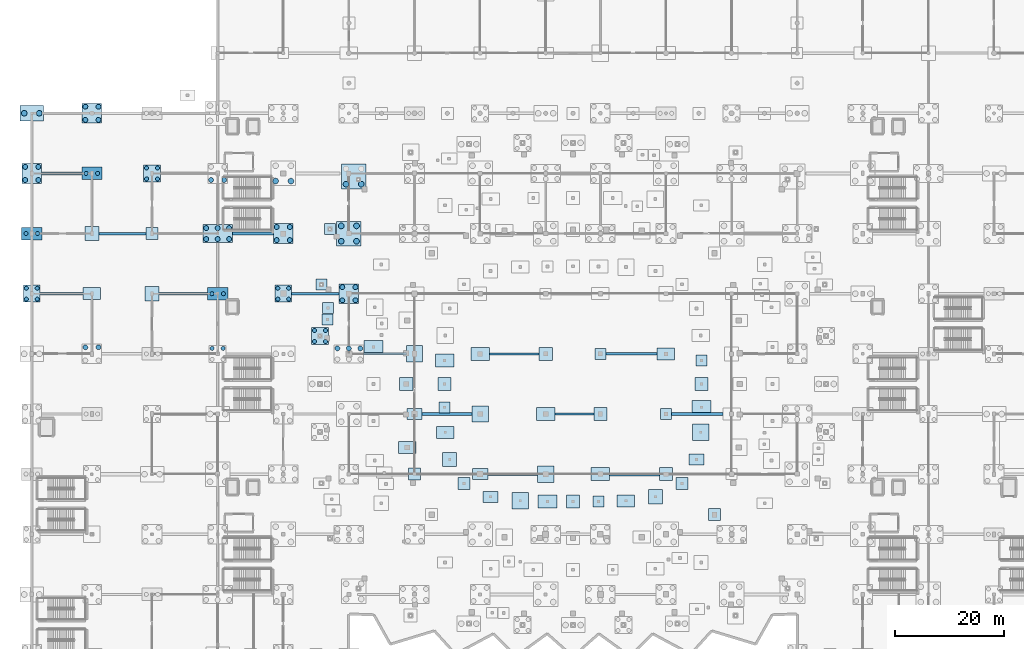
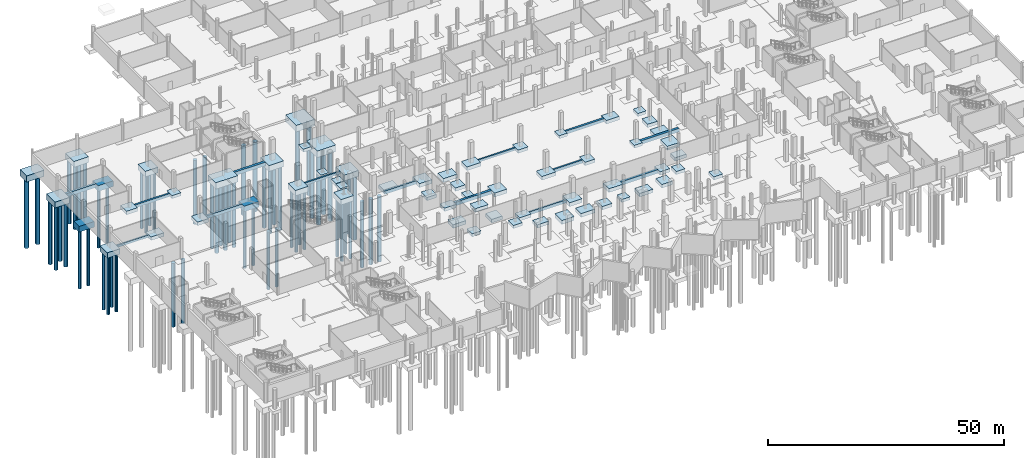
# One storey, part 3 of 60: 75 footings, 63 piles.
"""IFC4 building model written with IfcOpenShell, lengths in metres."""

from ifc_helpers import new_model, si_unit, direction, frame, origin, origin_2d, place, context, subcontext, project, spatial, rectangle, circle, extrude, material, material_profile, profile_set, type_object, element, save


model = new_model("IFC4")

# Units and contexts
model_context = context("Model", 3, precision=1e-05, world=origin(), true_north=direction((0.0, 1.0)))
body_context = subcontext(model_context, "Body", "Model", "MODEL_VIEW")
ifc_project = project(units=[si_unit("LENGTHUNIT", "METRE"), si_unit("AREAUNIT", "SQUARE_METRE"), si_unit("VOLUMEUNIT", "CUBIC_METRE"), si_unit("PLANEANGLEUNIT", "RADIAN"), si_unit("MASSUNIT", "GRAM", prefix="KILO")], contexts=[model_context])

# Site, building, storey
site_placement = place(None, origin())
site = spatial("IfcSite", under=ifc_project, at=site_placement, CompositionType="ELEMENT")
building_placement = place(site_placement, origin())
building = spatial("IfcBuilding", under=site, at=building_placement, Name="Luwafu Chhajja Arena", CompositionType="ELEMENT")
storey_placement = place(building_placement, frame((0.0, 0.0, -5.39990234375)))
storey = spatial("IfcBuildingStorey", under=building, at=storey_placement, Name="B1", CompositionType="ELEMENT", Elevation=-5.39990234375)

# Footings
ifc_material = material(Name="Concrete C35/45", Category="concrete")
footing_type_1 = type_object("IfcFootingType", Name="Arcade Corner Pad Footing PF-7", PredefinedType="PAD_FOOTING", material=ifc_material)
for number, where, z_axis, x_axis, name in (
    (1, (104.0, 55.0, -0.75), (0.0, 0.0, 1.0), (1.0, 0.0, 0.0), "Pad footing PAD-039"),
    (2, (116.0, 44.0, -0.75), (0.0, 0.0, 1.0), (1.0, 0.0, 0.0), "Pad footing PAD-045"),
    (3, (54.52392578125, 77.805908203125, -0.75), (0.0, 0.0, 1.0), (1.0, 0.0, 0.0), "Pad footing PAD-091"),
    (4, (52.968017578125, 67.6611328125, -0.75), (0.0, 0.0, 1.0), (1.0, 0.0, 0.0), "Pad footing PAD-092"),
    (5, (122.49365234375, 53.775390625, -0.75), (0.0, 0.0, 1.0), (1.0, 0.0, 0.0), "Pad footing PAD-140"),
    (6, (75.50634765625, 45.224609375, -0.75), (0.0, 0.0, 1.0), (1.0, 0.0, 0.0), "Pad footing PAD-178"),
    (7, (103.673095703125, 28.005859375, -0.75), (0.0, 0.0, 1.0), (1.0, 0.0, 0.0), "Pad footing PAD-197"),
    (8, (54.165283203125, 63.373779296875, -0.75), (0.0, 0.0, 1.0), (1.0, 0.0, 0.0), "Pad footing PAD-228"),
    (9, (54.107177734375, 61.274658203125, -0.75), (0.0, 0.0, 1.0), (1.0, 0.0, 0.0), "Pad footing PAD-229"),
):
    element("IfcFooting", number, at=place(storey_placement, frame(where, z_axis=z_axis, x_axis=x_axis)), inside=storey, type_object=footing_type_1, Name=name, PredefinedType="PAD_FOOTING", context=body_context, shape_type="SweptSolid", body=[
        extrude(rectangle(XDim=2.0, YDim=2.0, at=origin_2d()), origin(), (0.0, 0.0, 1.0), 0.75),
    ])
ifc_material_profile_1 = material_profile(ifc_material, rectangle(XDim=0.39990234375, YDim=0.60009765625, at=origin_2d()), Name="RC 400x600")
ifc_profile_set_1 = profile_set([ifc_material_profile_1], Name="Concrete C35/45")
footing_type_2 = type_object("IfcFootingType", Name="Arcade Plinth Tie Beam GB-4", PredefinedType="FOOTING_BEAM", material=ifc_profile_set_1)
footing_1_placement = place(storey_placement, frame((83.699951171875, 55.0, -0.300048828125), z_axis=(1.0, 0.0, 0.0), x_axis=(0.0, 1.0, 0.0)))
element("IfcFooting", 10, at=footing_1_placement, inside=storey, type_object=footing_type_2, Name="Ground tie beam GB-X-044", PredefinedType="FOOTING_BEAM", context=body_context, shape_type="SweptSolid", body=[
    extrude(rectangle(XDim=0.39990234375, YDim=0.60009765625, at=origin_2d()), origin(), (0.0, 0.0, 1.0), 9.10009765625),
])
footing_2_placement = place(storey_placement, frame((1.550048828125, 66.0, -0.300048828125), z_axis=(1.0, 0.0, 0.0), x_axis=(0.0, 1.0, 0.0)))
element("IfcFooting", 11, at=footing_2_placement, inside=storey, type_object=footing_type_2, Name="Ground tie beam GB-X-049", PredefinedType="FOOTING_BEAM", context=body_context, shape_type="SweptSolid", body=[
    extrude(rectangle(XDim=0.39990234375, YDim=0.60009765625, at=origin_2d()), origin(), (0.0, 0.0, 1.0), 7.849853515625),
])
footing_3_placement = place(storey_placement, frame((47.550048828125, 66.0, -0.300048828125), z_axis=(1.0, 0.0, 0.0), x_axis=(0.0, 1.0, 0.0)))
element("IfcFooting", 12, at=footing_3_placement, inside=storey, type_object=footing_type_2, Name="Ground tie beam GB-X-051", PredefinedType="FOOTING_BEAM", context=body_context, shape_type="SweptSolid", body=[
    extrude(rectangle(XDim=0.39990234375, YDim=0.60009765625, at=origin_2d()), origin(), (0.0, 0.0, 1.0), 8.64990234375),
])

# Piles
ifc_material_profile_2 = material_profile(ifc_material, circle(Radius=0.52490234375, at=origin_2d()), Name="PILE D1050")
ifc_profile_set_2 = profile_set([ifc_material_profile_2], Name="Concrete C35/45")
pile_type_1 = type_object("IfcPileType", Name="Bored Socketed Pile D1050", PredefinedType="BORED", material=ifc_profile_set_2)
for number, where, z_axis, x_axis, name in (
    (13, (57.471923828125, 86.04541015625, -1.60009765625), (0.0, 0.0, -1.0), (1.0, 0.0, 0.0), "Bored pile PIL-PC-3-002-1"),
    (14, (60.27197265625, 86.04541015625, -1.60009765625), (0.0, 0.0, -1.0), (1.0, 0.0, 0.0), "Bored pile PIL-PC-3-002-2"),
    (15, (-1.375, 99.0, -1.5), (0.0, 0.0, -1.0), (1.0, 0.0, 0.0), "Bored pile PIL-PC-2-014-1"),
    (16, (1.375, 99.0, -1.5), (0.0, 0.0, -1.0), (1.0, 0.0, 0.0), "Bored pile PIL-PC-2-014-2"),
    (17, (44.60009765625, 86.60009765625, -1.60009765625), (0.0, 0.0, -1.0), (1.0, 0.0, 0.0), "Bored pile PIL-PC-3-047-1"),
    (18, (47.39990234375, 86.60009765625, -1.60009765625), (0.0, 0.0, -1.0), (1.0, 0.0, 0.0), "Bored pile PIL-PC-3-047-2"),
    (19, (56.60009765625, 75.60009765625, -1.60009765625), (0.0, 0.0, -1.0), (1.0, 0.0, 0.0), "Bored pile PIL-PC-3-055-1"),
    (20, (59.39990234375, 75.60009765625, -1.60009765625), (0.0, 0.0, -1.0), (1.0, 0.0, 0.0), "Bored pile PIL-PC-3-055-2"),
    (21, (56.60009765625, 78.39990234375, -1.60009765625), (0.0, 0.0, -1.0), (1.0, 0.0, 0.0), "Bored pile PIL-PC-3-055-3"),
    (22, (59.39990234375, 78.39990234375, -1.60009765625), (0.0, 0.0, -1.0), (1.0, 0.0, 0.0), "Bored pile PIL-PC-3-055-4"),
):
    element("IfcPile", number, at=place(storey_placement, frame(where, z_axis=z_axis, x_axis=x_axis)), inside=storey, type_object=pile_type_1, Name=name, PredefinedType="BORED", context=body_context, shape_type="SweptSolid", body=[
        extrude(circle(Radius=0.52490234375, at=origin_2d()), origin(), (0.0, 0.0, 1.0), 18.0),
    ])
ifc_material_profile_3 = material_profile(ifc_material, circle(Radius=0.375, at=origin_2d()), Name="PILE D750")
ifc_profile_set_3 = profile_set([ifc_material_profile_3], Name="Concrete C35/45")
pile_type_2 = type_object("IfcPileType", Name="Bored Socketed Pile D750", PredefinedType="BORED", material=ifc_profile_set_3)
for number, where, z_axis, x_axis, name in (
    (23, (-1.0, 65.0, -1.300048828125), (0.0, 0.0, -1.0), (1.0, 0.0, 0.0), "Bored pile PIL-PC-4-011-1"),
    (24, (1.0, 65.0, -1.300048828125), (0.0, 0.0, -1.0), (1.0, 0.0, 0.0), "Bored pile PIL-PC-4-011-2"),
    (25, (-1.0, 67.0, -1.300048828125), (0.0, 0.0, -1.0), (1.0, 0.0, 0.0), "Bored pile PIL-PC-4-011-3"),
    (26, (1.0, 67.0, -1.300048828125), (0.0, 0.0, -1.0), (1.0, 0.0, 0.0), "Bored pile PIL-PC-4-011-4"),
):
    element("IfcPile", number, at=place(storey_placement, frame(where, z_axis=z_axis, x_axis=x_axis)), inside=storey, type_object=pile_type_2, Name=name, PredefinedType="BORED", context=body_context, shape_type="SweptSolid", body=[
        extrude(circle(Radius=0.375, at=origin_2d()), origin(), (0.0, 0.0, 1.0), 15.0),
    ])
for number, where, z_axis, x_axis, name in (
    (27, (-1.050048828125, 77.0, -1.35009765625), (0.0, 0.0, -1.0), (1.0, 0.0, 0.0), "Bored pile PIL-PC-6-012-1"),
    (28, (1.050048828125, 77.0, -1.35009765625), (0.0, 0.0, -1.0), (1.0, 0.0, 0.0), "Bored pile PIL-PC-6-012-2"),
    (29, (9.949951171875, 88.0, -1.35009765625), (0.0, 0.0, -1.0), (1.0, 0.0, 0.0), "Bored pile PIL-PC-6-020-1"),
    (30, (12.050048828125, 88.0, -1.35009765625), (0.0, 0.0, -1.0), (1.0, 0.0, 0.0), "Bored pile PIL-PC-6-020-2"),
):
    element("IfcPile", number, at=place(storey_placement, frame(where, z_axis=z_axis, x_axis=x_axis)), inside=storey, type_object=pile_type_2, Name=name, PredefinedType="BORED", context=body_context, shape_type="SweptSolid", body=[
        extrude(circle(Radius=0.375, at=origin_2d()), origin(), (0.0, 0.0, 1.0), 15.5),
    ])
for number, where, z_axis, x_axis, name in (
    (31, (21.0, 87.0, -1.300048828125), (0.0, 0.0, -1.0), (1.0, 0.0, 0.0), "Bored pile PIL-PC-4-027-1"),
    (32, (23.0, 87.0, -1.300048828125), (0.0, 0.0, -1.0), (1.0, 0.0, 0.0), "Bored pile PIL-PC-4-027-2"),
    (33, (21.0, 89.0, -1.300048828125), (0.0, 0.0, -1.0), (1.0, 0.0, 0.0), "Bored pile PIL-PC-4-027-3"),
    (34, (23.0, 89.0, -1.300048828125), (0.0, 0.0, -1.0), (1.0, 0.0, 0.0), "Bored pile PIL-PC-4-027-4"),
    (35, (33.0, 56.0, -1.300048828125), (0.0, 0.0, -1.0), (1.0, 0.0, 0.0), "Bored pile PIL-PC-4-034-3"),
    (36, (35.0, 56.0, -1.300048828125), (0.0, 0.0, -1.0), (1.0, 0.0, 0.0), "Bored pile PIL-PC-4-034-4"),
):
    element("IfcPile", number, at=place(storey_placement, frame(where, z_axis=z_axis, x_axis=x_axis)), inside=storey, type_object=pile_type_2, Name=name, PredefinedType="BORED", context=body_context, shape_type="SweptSolid", body=[
        extrude(circle(Radius=0.375, at=origin_2d()), origin(), (0.0, 0.0, 1.0), 15.0),
    ])
for number, where, z_axis, x_axis, name in (
    (37, (32.949951171875, 66.0, -1.35009765625), (0.0, 0.0, -1.0), (1.0, 0.0, 0.0), "Bored pile PIL-PC-6-035-1"),
    (38, (35.050048828125, 66.0, -1.35009765625), (0.0, 0.0, -1.0), (1.0, 0.0, 0.0), "Bored pile PIL-PC-6-035-2"),
):
    element("IfcPile", number, at=place(storey_placement, frame(where, z_axis=z_axis, x_axis=x_axis)), inside=storey, type_object=pile_type_2, Name=name, PredefinedType="BORED", context=body_context, shape_type="SweptSolid", body=[
        extrude(circle(Radius=0.375, at=origin_2d()), origin(), (0.0, 0.0, 1.0), 15.5),
    ])
for number, where, z_axis, x_axis, name in (
    (39, (45.0, 65.0, -1.300048828125), (0.0, 0.0, -1.0), (1.0, 0.0, 0.0), "Bored pile PIL-PC-4-045-1"),
    (40, (47.0, 65.0, -1.300048828125), (0.0, 0.0, -1.0), (1.0, 0.0, 0.0), "Bored pile PIL-PC-4-045-2"),
    (41, (45.0, 67.0, -1.300048828125), (0.0, 0.0, -1.0), (1.0, 0.0, 0.0), "Bored pile PIL-PC-4-045-3"),
    (42, (47.0, 67.0, -1.300048828125), (0.0, 0.0, -1.0), (1.0, 0.0, 0.0), "Bored pile PIL-PC-4-045-4"),
    (43, (51.71240234375, 57.269775390625, -1.300048828125), (0.0, 0.0, -1.0), (1.0, 0.0, 0.0), "Bored pile PIL-PC-4-140-1"),
    (44, (53.71240234375, 57.269775390625, -1.300048828125), (0.0, 0.0, -1.0), (1.0, 0.0, 0.0), "Bored pile PIL-PC-4-140-2"),
    (45, (51.71240234375, 59.269775390625, -1.300048828125), (0.0, 0.0, -1.0), (1.0, 0.0, 0.0), "Bored pile PIL-PC-4-140-3"),
    (46, (53.71240234375, 59.269775390625, -1.300048828125), (0.0, 0.0, -1.0), (1.0, 0.0, 0.0), "Bored pile PIL-PC-4-140-4"),
):
    element("IfcPile", number, at=place(storey_placement, frame(where, z_axis=z_axis, x_axis=x_axis)), inside=storey, type_object=pile_type_2, Name=name, PredefinedType="BORED", context=body_context, shape_type="SweptSolid", body=[
        extrude(circle(Radius=0.375, at=origin_2d()), origin(), (0.0, 0.0, 1.0), 15.0),
    ])
ifc_material_profile_4 = material_profile(ifc_material, circle(Radius=0.449951171875, at=origin_2d()), Name="PILE D900")
ifc_profile_set_4 = profile_set([ifc_material_profile_4], Name="Concrete C35/45")
pile_type_3 = type_object("IfcPileType", Name="Bored Socketed Pile D900", PredefinedType="BORED", material=ifc_profile_set_4)
for number, where, z_axis, x_axis, name in (
    (47, (-1.199951171875, 86.800048828125, -1.400146484375), (0.0, 0.0, -1.0), (1.0, 0.0, 0.0), "Bored pile PIL-PC-1-013-1"),
    (48, (1.199951171875, 86.800048828125, -1.400146484375), (0.0, 0.0, -1.0), (1.0, 0.0, 0.0), "Bored pile PIL-PC-1-013-2"),
    (49, (-1.199951171875, 89.199951171875, -1.400146484375), (0.0, 0.0, -1.0), (1.0, 0.0, 0.0), "Bored pile PIL-PC-1-013-3"),
    (50, (1.199951171875, 89.199951171875, -1.400146484375), (0.0, 0.0, -1.0), (1.0, 0.0, 0.0), "Bored pile PIL-PC-1-013-4"),
    (51, (9.800048828125, 56.199951171875, -1.400146484375), (0.0, 0.0, -1.0), (1.0, 0.0, 0.0), "Bored pile PIL-PC-1-019-3"),
    (52, (12.199951171875, 56.199951171875, -1.400146484375), (0.0, 0.0, -1.0), (1.0, 0.0, 0.0), "Bored pile PIL-PC-1-019-4"),
    (53, (9.800048828125, 97.800048828125, -1.400146484375), (0.0, 0.0, -1.0), (1.0, 0.0, 0.0), "Bored pile PIL-PC-1-021-1"),
    (54, (12.199951171875, 97.800048828125, -1.400146484375), (0.0, 0.0, -1.0), (1.0, 0.0, 0.0), "Bored pile PIL-PC-1-021-2"),
    (55, (9.800048828125, 100.199951171875, -1.400146484375), (0.0, 0.0, -1.0), (1.0, 0.0, 0.0), "Bored pile PIL-PC-1-021-3"),
    (56, (12.199951171875, 100.199951171875, -1.400146484375), (0.0, 0.0, -1.0), (1.0, 0.0, 0.0), "Bored pile PIL-PC-1-021-4"),
):
    element("IfcPile", number, at=place(storey_placement, frame(where, z_axis=z_axis, x_axis=x_axis)), inside=storey, type_object=pile_type_3, Name=name, PredefinedType="BORED", context=body_context, shape_type="SweptSolid", body=[
        extrude(circle(Radius=0.449951171875, at=origin_2d()), origin(), (0.0, 0.0, 1.0), 16.5),
    ])
for number, where, z_axis, x_axis, name in (
    (57, (31.89990234375, 76.0, -1.550048828125), (0.0, 0.0, -1.0), (1.0, 0.0, 0.0), "Bored pile PIL-PC-5-036-1"),
    (58, (34.0, 76.0, -1.550048828125), (0.0, 0.0, -1.0), (1.0, 0.0, 0.0), "Bored pile PIL-PC-5-036-2"),
    (59, (36.10009765625, 76.0, -1.550048828125), (0.0, 0.0, -1.0), (1.0, 0.0, 0.0), "Bored pile PIL-PC-5-036-3"),
    (60, (31.89990234375, 78.0, -1.550048828125), (0.0, 0.0, -1.0), (1.0, 0.0, 0.0), "Bored pile PIL-PC-5-036-4"),
    (61, (34.0, 78.0, -1.550048828125), (0.0, 0.0, -1.0), (1.0, 0.0, 0.0), "Bored pile PIL-PC-5-036-5"),
    (62, (36.10009765625, 78.0, -1.550048828125), (0.0, 0.0, -1.0), (1.0, 0.0, 0.0), "Bored pile PIL-PC-5-036-6"),
):
    element("IfcPile", number, at=place(storey_placement, frame(where, z_axis=z_axis, x_axis=x_axis)), inside=storey, type_object=pile_type_3, Name=name, PredefinedType="BORED", context=body_context, shape_type="SweptSolid", body=[
        extrude(circle(Radius=0.449951171875, at=origin_2d()), origin(), (0.0, 0.0, 1.0), 17.0),
    ])
for number, where, z_axis, x_axis, name in (
    (63, (32.800048828125, 86.800048828125, -1.400146484375), (0.0, 0.0, -1.0), (1.0, 0.0, 0.0), "Bored pile PIL-PC-1-037-1"),
    (64, (35.199951171875, 86.800048828125, -1.400146484375), (0.0, 0.0, -1.0), (1.0, 0.0, 0.0), "Bored pile PIL-PC-1-037-2"),
    (65, (44.800048828125, 75.800048828125, -1.400146484375), (0.0, 0.0, -1.0), (1.0, 0.0, 0.0), "Bored pile PIL-PC-1-046-1"),
    (66, (47.199951171875, 75.800048828125, -1.400146484375), (0.0, 0.0, -1.0), (1.0, 0.0, 0.0), "Bored pile PIL-PC-1-046-2"),
    (67, (44.800048828125, 78.199951171875, -1.400146484375), (0.0, 0.0, -1.0), (1.0, 0.0, 0.0), "Bored pile PIL-PC-1-046-3"),
    (68, (47.199951171875, 78.199951171875, -1.400146484375), (0.0, 0.0, -1.0), (1.0, 0.0, 0.0), "Bored pile PIL-PC-1-046-4"),
):
    element("IfcPile", number, at=place(storey_placement, frame(where, z_axis=z_axis, x_axis=x_axis)), inside=storey, type_object=pile_type_3, Name=name, PredefinedType="BORED", context=body_context, shape_type="SweptSolid", body=[
        extrude(circle(Radius=0.449951171875, at=origin_2d()), origin(), (0.0, 0.0, 1.0), 16.5),
    ])
for number, where, z_axis, x_axis, name in (
    (69, (55.89990234375, 56.0, -1.550048828125), (0.0, 0.0, -1.0), (1.0, 0.0, 0.0), "Bored pile PIL-PC-5-053-4"),
    (70, (58.0, 56.0, -1.550048828125), (0.0, 0.0, -1.0), (1.0, 0.0, 0.0), "Bored pile PIL-PC-5-053-5"),
    (71, (60.10009765625, 56.0, -1.550048828125), (0.0, 0.0, -1.0), (1.0, 0.0, 0.0), "Bored pile PIL-PC-5-053-6"),
):
    element("IfcPile", number, at=place(storey_placement, frame(where, z_axis=z_axis, x_axis=x_axis)), inside=storey, type_object=pile_type_3, Name=name, PredefinedType="BORED", context=body_context, shape_type="SweptSolid", body=[
        extrude(circle(Radius=0.449951171875, at=origin_2d()), origin(), (0.0, 0.0, 1.0), 17.0),
    ])
for number, where, z_axis, x_axis, name in (
    (72, (56.800048828125, 64.800048828125, -1.400146484375), (0.0, 0.0, -1.0), (1.0, 0.0, 0.0), "Bored pile PIL-PC-1-054-1"),
    (73, (59.199951171875, 64.800048828125, -1.400146484375), (0.0, 0.0, -1.0), (1.0, 0.0, 0.0), "Bored pile PIL-PC-1-054-2"),
    (74, (56.800048828125, 67.199951171875, -1.400146484375), (0.0, 0.0, -1.0), (1.0, 0.0, 0.0), "Bored pile PIL-PC-1-054-3"),
    (75, (59.199951171875, 67.199951171875, -1.400146484375), (0.0, 0.0, -1.0), (1.0, 0.0, 0.0), "Bored pile PIL-PC-1-054-4"),
):
    element("IfcPile", number, at=place(storey_placement, frame(where, z_axis=z_axis, x_axis=x_axis)), inside=storey, type_object=pile_type_3, Name=name, PredefinedType="BORED", context=body_context, shape_type="SweptSolid", body=[
        extrude(circle(Radius=0.449951171875, at=origin_2d()), origin(), (0.0, 0.0, 1.0), 16.5),
    ])

# Footings
footing_type_3 = type_object("IfcFootingType", Name="Charbagh Arcade Pad Footing PF-2", PredefinedType="PAD_FOOTING", material=ifc_material)
for number, where, z_axis, x_axis, name in (
    (76, (22.0, 77.0, -0.80029296875), (0.0, 0.0, 1.0), (1.0, 0.0, 0.0), "Pad footing PAD-006"),
    (77, (70.0, 33.0, -0.80029296875), (0.0, 0.0, 1.0), (1.0, 0.0, 0.0), "Pad footing PAD-016"),
    (78, (79.0751953125, 31.27099609375, -0.80029296875), (0.0, 0.0, 1.0), (1.0, 0.0, 0.0), "Pad footing PAD-185"),
    (79, (118.9248046875, 31.27099609375, -0.80029296875), (0.0, 0.0, 1.0), (1.0, 0.0, 0.0), "Pad footing PAD-204"),
    (80, (124.85986328125, 25.590087890625, -0.80029296875), (0.0, 0.0, 1.0), (1.0, 0.0, 0.0), "Pad footing PAD-205"),
):
    element("IfcFooting", number, at=place(storey_placement, frame(where, z_axis=z_axis, x_axis=x_axis)), inside=storey, type_object=footing_type_3, Name=name, PredefinedType="PAD_FOOTING", context=body_context, shape_type="SweptSolid", body=[
        extrude(rectangle(XDim=2.199951171875, YDim=2.199951171875, at=origin_2d()), origin(), (0.0, 0.0, 1.0), 0.800048828125),
    ])
footing_type_4 = type_object("IfcFootingType", Name="Colonnade Pad Footing PF-1", PredefinedType="PAD_FOOTING", material=ifc_material)
for number, where, z_axis, x_axis, name in (
    (81, (11.0, 77.0, -0.900146484375), (0.0, 0.0, 1.0), (1.0, 0.0, 0.0), "Pad footing PAD-003"),
    (82, (22.0, 66.0, -0.900146484375), (0.0, 0.0, 1.0), (1.0, 0.0, 0.0), "Pad footing PAD-005"),
    (83, (76.42578125, 35.7001953125, -0.900146484375), (0.0, 0.0, 1.0), (1.0, 0.0, 0.0), "Pad footing PAD-183"),
    (84, (114.08349609375, 28.846923828125, -0.900146484375), (0.0, 0.0, 1.0), (1.0, 0.0, 0.0), "Pad footing PAD-202"),
):
    element("IfcFooting", number, at=place(storey_placement, frame(where, z_axis=z_axis, x_axis=x_axis)), inside=storey, type_object=footing_type_4, Name=name, PredefinedType="PAD_FOOTING", context=body_context, shape_type="SweptSolid", body=[
        extrude(rectangle(XDim=2.60009765625, YDim=2.60009765625, at=origin_2d()), origin(), (0.0, 0.0, 1.0), 0.89990234375),
    ])
footing_type_5 = type_object("IfcFootingType", Name="Forecourt Canopy Pad Footing PF-3", PredefinedType="PAD_FOOTING", material=ifc_material)
for number, where, z_axis, x_axis, name in (
    (85, (70.0, 44.0, -0.85009765625), (0.0, 0.0, 1.0), (1.0, 0.0, 0.0), "Pad footing PAD-017"),
    (86, (82.0, 33.0, -0.85009765625), (0.0, 0.0, 1.0), (1.0, 0.0, 0.0), "Pad footing PAD-023"),
    (87, (83.91650390625, 28.846923828125, -0.85009765625), (0.0, 0.0, 1.0), (1.0, 0.0, 0.0), "Pad footing PAD-187"),
    (88, (121.57421875, 35.7001953125, -0.85009765625), (0.0, 0.0, 1.0), (1.0, 0.0, 0.0), "Pad footing PAD-206"),
):
    element("IfcFooting", number, at=place(storey_placement, frame(where, z_axis=z_axis, x_axis=x_axis)), inside=storey, type_object=footing_type_5, Name=name, PredefinedType="PAD_FOOTING", context=body_context, shape_type="SweptSolid", body=[
        extrude(rectangle(XDim=2.800048828125, YDim=2.0, at=origin_2d()), origin(), (0.0, 0.0, 1.0), 0.85009765625),
    ])
footing_type_6 = type_object("IfcFootingType", Name="Light Court Pad Footing PF-8", PredefinedType="PAD_FOOTING", material=ifc_material)
for number, where, z_axis, x_axis, name in (
    (89, (11.0, 66.0, -0.900146484375), (0.0, 0.0, 1.0), (1.0, 0.0, 0.0), "Pad footing PAD-002"),
    (90, (116.0, 55.0, -0.900146484375), (0.0, 0.0, 1.0), (1.0, 0.0, 0.0), "Pad footing PAD-046"),
    (91, (75.635986328125, 40.64599609375, -0.900146484375), (0.0, 0.0, 1.0), (1.0, 0.0, 0.0), "Pad footing PAD-180"),
    (92, (68.676513671875, 37.88671875, -0.900146484375), (0.0, 0.0, 1.0), (1.0, 0.0, 0.0), "Pad footing PAD-182"),
    (93, (108.677734375, 28.12451171875, -0.900146484375), (0.0, 0.0, 1.0), (1.0, 0.0, 0.0), "Pad footing PAD-199"),
):
    element("IfcFooting", number, at=place(storey_placement, frame(where, z_axis=z_axis, x_axis=x_axis)), inside=storey, type_object=footing_type_6, Name=name, PredefinedType="PAD_FOOTING", context=body_context, shape_type="SweptSolid", body=[
        extrude(rectangle(XDim=3.199951171875, YDim=2.199951171875, at=origin_2d()), origin(), (0.0, 0.0, 1.0), 0.89990234375),
    ])
footing_type_7 = type_object("IfcFootingType", Name="Pavilion Corner Pad Footing PF-4", PredefinedType="PAD_FOOTING", material=ifc_material)
for number, where, z_axis, x_axis, name in (
    (94, (70.0, 55.0, -1.0), (0.0, 0.0, 1.0), (1.0, 0.0, 0.0), "Pad footing PAD-018"),
    (95, (82.0, 44.0, -1.0), (0.0, 0.0, 1.0), (1.0, 0.0, 0.0), "Pad footing PAD-024"),
    (96, (94.0, 33.0, -1.0), (0.0, 0.0, 1.0), (1.0, 0.0, 0.0), "Pad footing PAD-030"),
    (97, (89.322265625, 28.12451171875, -1.0), (0.0, 0.0, 1.0), (1.0, 0.0, 0.0), "Pad footing PAD-189"),
    (98, (122.364013671875, 40.64599609375, -1.0), (0.0, 0.0, 1.0), (1.0, 0.0, 0.0), "Pad footing PAD-208"),
):
    element("IfcFooting", number, at=place(storey_placement, frame(where, z_axis=z_axis, x_axis=x_axis)), inside=storey, type_object=footing_type_7, Name=name, PredefinedType="PAD_FOOTING", context=body_context, shape_type="SweptSolid", body=[
        extrude(rectangle(XDim=3.0, YDim=3.0, at=origin_2d()), origin(), (0.0, 0.0, 1.0), 1.0),
    ])
ifc_material_profile_5 = material_profile(ifc_material, rectangle(XDim=0.449951171875, YDim=0.75, at=origin_2d()), Name="RC 450x750")
ifc_profile_set_5 = profile_set([ifc_material_profile_5], Name="Concrete C35/45")
footing_type_8 = type_object("IfcFootingType", Name="Perimeter Plinth Ground Beam GB-3", PredefinedType="FOOTING_BEAM", material=ifc_profile_set_5)
footing_4_placement = place(storey_placement, frame((83.39990234375, 33.0, -0.375), z_axis=(1.0, 0.0, 0.0), x_axis=(0.0, 1.0, 0.0)))
element("IfcFooting", 99, at=footing_4_placement, inside=storey, type_object=footing_type_8, Name="Ground tie beam GB-X-027", PredefinedType="FOOTING_BEAM", context=body_context, shape_type="SweptSolid", body=[
    extrude(rectangle(XDim=0.449951171875, YDim=0.75, at=origin_2d()), origin(), (0.0, 0.0, 1.0), 9.10009765625),
])
footing_5_placement = place(storey_placement, frame((95.699951171875, 44.0, -0.375), z_axis=(1.0, 0.0, 0.0), x_axis=(0.0, 1.0, 0.0)))
element("IfcFooting", 100, at=footing_5_placement, inside=storey, type_object=footing_type_8, Name="Ground tie beam GB-X-036", PredefinedType="FOOTING_BEAM", context=body_context, shape_type="SweptSolid", body=[
    extrude(rectangle(XDim=0.449951171875, YDim=0.75, at=origin_2d()), origin(), (0.0, 0.0, 1.0), 7.10009765625),
])
footing_6_placement = place(storey_placement, frame((12.300048828125, 77.0, -0.375), z_axis=(1.0, 0.0, 0.0), x_axis=(0.0, 1.0, 0.0)))
element("IfcFooting", 101, at=footing_6_placement, inside=storey, type_object=footing_type_8, Name="Ground tie beam GB-X-058", PredefinedType="FOOTING_BEAM", context=body_context, shape_type="SweptSolid", body=[
    extrude(rectangle(XDim=0.449951171875, YDim=0.75, at=origin_2d()), origin(), (0.0, 0.0, 1.0), 8.599853515625),
])
ifc_material_profile_6 = material_profile(ifc_material, rectangle(XDim=0.60009765625, YDim=0.89990234375, at=origin_2d()), Name="RC 600x900")
ifc_profile_set_6 = profile_set([ifc_material_profile_6], Name="Concrete C35/45")
footing_type_9 = type_object("IfcFootingType", Name="Primary Ground Tie Beam GB-1", PredefinedType="FOOTING_BEAM", material=ifc_profile_set_6)
for number, where, z_axis, x_axis, name in (
    (102, (105.699951171875, 33.0, -0.4501953125), (1.0, 0.0, 0.0), (0.0, 1.0, 0.0), "Ground tie beam GB-X-028"),
    (103, (71.39990234375, 44.0, -0.4501953125), (1.0, 0.0, 0.0), (0.0, 1.0, 0.0), "Ground tie beam GB-X-035"),
):
    element("IfcFooting", number, at=place(storey_placement, frame(where, z_axis=z_axis, x_axis=x_axis)), inside=storey, type_object=footing_type_9, Name=name, PredefinedType="FOOTING_BEAM", context=body_context, shape_type="SweptSolid", body=[
        extrude(rectangle(XDim=0.60009765625, YDim=0.89990234375, at=origin_2d()), origin(), (0.0, 0.0, 1.0), 9.10009765625),
    ])
footing_7_placement = place(storey_placement, frame((117.0, 44.0, -0.4501953125), z_axis=(1.0, 0.0, 0.0), x_axis=(0.0, 1.0, 0.0)))
element("IfcFooting", 104, at=footing_7_placement, inside=storey, type_object=footing_type_9, Name="Ground tie beam GB-X-037", PredefinedType="FOOTING_BEAM", context=body_context, shape_type="SweptSolid", body=[
    extrude(rectangle(XDim=0.60009765625, YDim=0.89990234375, at=origin_2d()), origin(), (0.0, 0.0, 1.0), 9.39990234375),
])
footing_8_placement = place(storey_placement, frame((36.699951171875, 77.0, -0.4501953125), z_axis=(1.0, 0.0, 0.0), x_axis=(0.0, 1.0, 0.0)))
element("IfcFooting", 105, at=footing_8_placement, inside=storey, type_object=footing_type_9, Name="Ground tie beam GB-X-059", PredefinedType="FOOTING_BEAM", context=body_context, shape_type="SweptSolid", body=[
    extrude(rectangle(XDim=0.60009765625, YDim=0.89990234375, at=origin_2d()), origin(), (0.0, 0.0, 1.0), 7.5),
])
footing_9_placement = place(storey_placement, frame((1.800048828125, 88.0, -0.4501953125), z_axis=(1.0, 0.0, 0.0), x_axis=(0.0, 1.0, 0.0)))
element("IfcFooting", 106, at=footing_9_placement, inside=storey, type_object=footing_type_9, Name="Ground tie beam GB-X-066", PredefinedType="FOOTING_BEAM", context=body_context, shape_type="SweptSolid", body=[
    extrude(rectangle(XDim=0.60009765625, YDim=0.89990234375, at=origin_2d()), origin(), (0.0, 0.0, 1.0), 7.349853515625),
])
footing_type_10 = type_object("IfcFootingType", Name="Raker Plinth Pad Footing PF-6", PredefinedType="PAD_FOOTING", material=ifc_material)
for number, where, z_axis, x_axis, name in (
    (107, (94.0, 55.0, -0.85009765625), (0.0, 0.0, 1.0), (1.0, 0.0, 0.0), "Pad footing PAD-032"),
    (108, (104.0, 44.0, -0.85009765625), (0.0, 0.0, 1.0), (1.0, 0.0, 0.0), "Pad footing PAD-038"),
    (109, (116.0, 33.0, -0.85009765625), (0.0, 0.0, 1.0), (1.0, 0.0, 0.0), "Pad footing PAD-044"),
    (110, (122.5, 49.5, -0.85009765625), (0.0, 0.0, 1.0), (1.0, 0.0, 0.0), "Pad footing PAD-137"),
    (111, (75.5, 49.5, -0.85009765625), (0.0, 0.0, 1.0), (1.0, 0.0, 0.0), "Pad footing PAD-175"),
    (112, (68.5, 49.5, -0.85009765625), (0.0, 0.0, 1.0), (1.0, 0.0, 0.0), "Pad footing PAD-177"),
    (113, (99.0, 28.0, -0.85009765625), (0.0, 0.0, 1.0), (1.0, 0.0, 0.0), "Pad footing PAD-194"),
):
    element("IfcFooting", number, at=place(storey_placement, frame(where, z_axis=z_axis, x_axis=x_axis)), inside=storey, type_object=footing_type_10, Name=name, PredefinedType="PAD_FOOTING", context=body_context, shape_type="SweptSolid", body=[
        extrude(rectangle(XDim=2.39990234375, YDim=2.39990234375, at=origin_2d()), origin(), (0.0, 0.0, 1.0), 0.85009765625),
    ])
footing_type_11 = type_object("IfcFootingType", Name="Ramp Toe Pad Footing PF-5", PredefinedType="PAD_FOOTING", material=ifc_material)
for number, where, z_axis, x_axis, name in (
    (114, (82.0, 55.0, -0.9501953125), (0.0, 0.0, 1.0), (1.0, 0.0, 0.0), "Pad footing PAD-025"),
    (115, (94.0, 44.0, -0.9501953125), (0.0, 0.0, 1.0), (1.0, 0.0, 0.0), "Pad footing PAD-031"),
    (116, (104.0, 33.0, -0.9501953125), (0.0, 0.0, 1.0), (1.0, 0.0, 0.0), "Pad footing PAD-037"),
    (117, (75.50634765625, 53.775390625, -0.9501953125), (0.0, 0.0, 1.0), (1.0, 0.0, 0.0), "Pad footing PAD-173"),
    (118, (62.509765625, 56.26123046875, -0.9501953125), (0.0, 0.0, 1.0), (1.0, 0.0, 0.0), "Pad footing PAD-174"),
    (119, (94.326904296875, 28.005859375, -0.9501953125), (0.0, 0.0, 1.0), (1.0, 0.0, 0.0), "Pad footing PAD-192"),
    (120, (122.49365234375, 45.224609375, -0.9501953125), (0.0, 0.0, 1.0), (1.0, 0.0, 0.0), "Pad footing PAD-211"),
):
    element("IfcFooting", number, at=place(storey_placement, frame(where, z_axis=z_axis, x_axis=x_axis)), inside=storey, type_object=footing_type_11, Name=name, PredefinedType="PAD_FOOTING", context=body_context, shape_type="SweptSolid", body=[
        extrude(rectangle(XDim=3.39990234375, YDim=2.39990234375, at=origin_2d()), origin(), (0.0, 0.0, 1.0), 0.949951171875),
    ])
footing_type_12 = type_object("IfcFootingType", Name="Reinforced Concrete Pile Cap PC-1", PredefinedType="PILE_CAP", material=ifc_material)
for number, where, z_axis, x_axis, name in (
    (121, (0.0, 88.0, -1.5), (0.0, 0.0, 1.0), (1.0, 0.0, 0.0), "Pile cap PC-1 013"),
    (122, (11.0, 99.0, -1.5), (0.0, 0.0, 1.0), (1.0, 0.0, 0.0), "Pile cap PC-1 021"),
    (123, (46.0, 77.0, -1.5), (0.0, 0.0, 1.0), (1.0, 0.0, 0.0), "Pile cap PC-1 046"),
    (124, (58.0, 66.0, -1.5), (0.0, 0.0, 1.0), (1.0, 0.0, 0.0), "Pile cap PC-1 054"),
):
    element("IfcFooting", number, at=place(storey_placement, frame(where, z_axis=z_axis, x_axis=x_axis)), inside=storey, type_object=footing_type_12, Name=name, PredefinedType="PILE_CAP", context=body_context, shape_type="SweptSolid", body=[
        extrude(rectangle(XDim=3.60009765625, YDim=3.60009765625, at=origin_2d()), origin(), (0.0, 0.0, 1.0), 1.5),
    ])
footing_type_13 = type_object("IfcFootingType", Name="Reinforced Concrete Pile Cap PC-2", PredefinedType="PILE_CAP", material=ifc_material)
footing_10_placement = place(storey_placement, frame((0.0, 99.0, -1.60009765625), z_axis=(0.0, 0.0, 1.0), x_axis=(1.0, 0.0, 0.0)))
element("IfcFooting", 125, at=footing_10_placement, inside=storey, type_object=footing_type_13, Name="Pile cap PC-2 014", PredefinedType="PILE_CAP", context=body_context, shape_type="SweptSolid", body=[
    extrude(rectangle(XDim=4.300048828125, YDim=2.800048828125, at=origin_2d()), origin(), (0.0, 0.0, 1.0), 1.60009765625),
])
footing_type_14 = type_object("IfcFootingType", Name="Reinforced Concrete Pile Cap PC-3", PredefinedType="PILE_CAP", material=ifc_material)
for number, where, z_axis, x_axis, name in (
    (126, (58.871826171875, 87.4453125, -1.7001953125), (0.0, 0.0, 1.0), (1.0, 0.0, 0.0), "Pile cap PC-3 002"),
    (127, (58.0, 77.0, -1.7001953125), (0.0, 0.0, 1.0), (1.0, 0.0, 0.0), "Pile cap PC-3 055"),
):
    element("IfcFooting", number, at=place(storey_placement, frame(where, z_axis=z_axis, x_axis=x_axis)), inside=storey, type_object=footing_type_14, Name=name, PredefinedType="PILE_CAP", context=body_context, shape_type="SweptSolid", body=[
        extrude(rectangle(XDim=4.5, YDim=4.5, at=origin_2d()), origin(), (0.0, 0.0, 1.0), 1.699951171875),
    ])
footing_type_15 = type_object("IfcFootingType", Name="Reinforced Concrete Pile Cap PC-4", PredefinedType="PILE_CAP", material=ifc_material)
for number, where, z_axis, x_axis, name in (
    (128, (0.0, 66.0, -1.400146484375), (0.0, 0.0, 1.0), (1.0, 0.0, 0.0), "Pile cap PC-4 011"),
    (129, (22.0, 88.0, -1.400146484375), (0.0, 0.0, 1.0), (1.0, 0.0, 0.0), "Pile cap PC-4 027"),
    (130, (46.0, 66.0, -1.400146484375), (0.0, 0.0, 1.0), (1.0, 0.0, 0.0), "Pile cap PC-4 045"),
    (131, (52.71240234375, 58.269775390625, -1.400146484375), (0.0, 0.0, 1.0), (1.0, 0.0, 0.0), "Pile cap PC-4 140"),
):
    element("IfcFooting", number, at=place(storey_placement, frame(where, z_axis=z_axis, x_axis=x_axis)), inside=storey, type_object=footing_type_15, Name=name, PredefinedType="PILE_CAP", context=body_context, shape_type="SweptSolid", body=[
        extrude(rectangle(XDim=3.10009765625, YDim=3.10009765625, at=origin_2d()), origin(), (0.0, 0.0, 1.0), 1.39990234375),
    ])
footing_type_16 = type_object("IfcFootingType", Name="Reinforced Concrete Pile Cap PC-5", PredefinedType="PILE_CAP", material=ifc_material)
footing_11_placement = place(storey_placement, frame((34.0, 77.0, -1.650146484375), z_axis=(0.0, 0.0, 1.0), x_axis=(1.0, 0.0, 0.0)))
element("IfcFooting", 132, at=footing_11_placement, inside=storey, type_object=footing_type_16, Name="Pile cap PC-5 036", PredefinedType="PILE_CAP", context=body_context, shape_type="SweptSolid", body=[
    extrude(rectangle(XDim=5.39990234375, YDim=3.300048828125, at=origin_2d()), origin(), (0.0, 0.0, 1.0), 1.64990234375),
])
footing_type_17 = type_object("IfcFootingType", Name="Reinforced Concrete Pile Cap PC-6", PredefinedType="PILE_CAP", material=ifc_material)
for number, where, z_axis, x_axis, name in (
    (133, (0.0, 77.0, -1.4501953125), (0.0, 0.0, 1.0), (1.0, 0.0, 0.0), "Pile cap PC-6 012"),
    (134, (11.0, 88.0, -1.4501953125), (0.0, 0.0, 1.0), (1.0, 0.0, 0.0), "Pile cap PC-6 020"),
    (135, (34.0, 66.0, -1.4501953125), (0.0, 0.0, 1.0), (1.0, 0.0, 0.0), "Pile cap PC-6 035"),
):
    element("IfcFooting", number, at=place(storey_placement, frame(where, z_axis=z_axis, x_axis=x_axis)), inside=storey, type_object=footing_type_17, Name=name, PredefinedType="PILE_CAP", context=body_context, shape_type="SweptSolid", body=[
        extrude(rectangle(XDim=3.699951171875, YDim=2.300048828125, at=origin_2d()), origin(), (0.0, 0.0, 1.0), 1.449951171875),
    ])
ifc_material_profile_7 = material_profile(ifc_material, rectangle(XDim=0.5, YDim=0.800048828125, at=origin_2d()), Name="RC 500x800")
ifc_profile_set_7 = profile_set([ifc_material_profile_7], Name="Concrete C35/45")
footing_type_18 = type_object("IfcFootingType", Name="Secondary Ground Tie Beam GB-2", PredefinedType="FOOTING_BEAM", material=ifc_profile_set_7)
footing_12_placement = place(storey_placement, frame((60.699951171875, 55.0, -0.400146484375), z_axis=(1.0, 0.0, 0.0), x_axis=(0.0, 1.0, 0.0)))
element("IfcFooting", 136, at=footing_12_placement, inside=storey, type_object=footing_type_18, Name="Ground tie beam GB-X-043", PredefinedType="FOOTING_BEAM", context=body_context, shape_type="SweptSolid", body=[
    extrude(rectangle(XDim=0.5, YDim=0.800048828125, at=origin_2d()), origin(), (0.0, 0.0, 1.0), 7.800048828125),
])
footing_13_placement = place(storey_placement, frame((105.0, 55.0, -0.400146484375), z_axis=(1.0, 0.0, 0.0), x_axis=(0.0, 1.0, 0.0)))
element("IfcFooting", 137, at=footing_13_placement, inside=storey, type_object=footing_type_18, Name="Ground tie beam GB-X-045", PredefinedType="FOOTING_BEAM", context=body_context, shape_type="SweptSolid", body=[
    extrude(rectangle(XDim=0.5, YDim=0.800048828125, at=origin_2d()), origin(), (0.0, 0.0, 1.0), 9.39990234375),
])
footing_14_placement = place(storey_placement, frame((23.300048828125, 66.0, -0.400146484375), z_axis=(1.0, 0.0, 0.0), x_axis=(0.0, 1.0, 0.0)))
element("IfcFooting", 138, at=footing_14_placement, inside=storey, type_object=footing_type_18, Name="Ground tie beam GB-X-050", PredefinedType="FOOTING_BEAM", context=body_context, shape_type="SweptSolid", body=[
    extrude(rectangle(XDim=0.5, YDim=0.800048828125, at=origin_2d()), origin(), (0.0, 0.0, 1.0), 8.849853515625),
])

save(model, "model.ifc")
